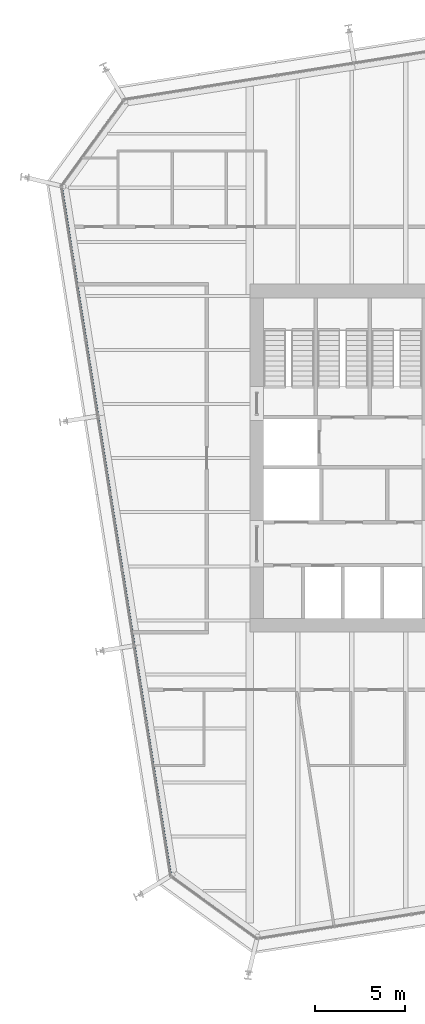
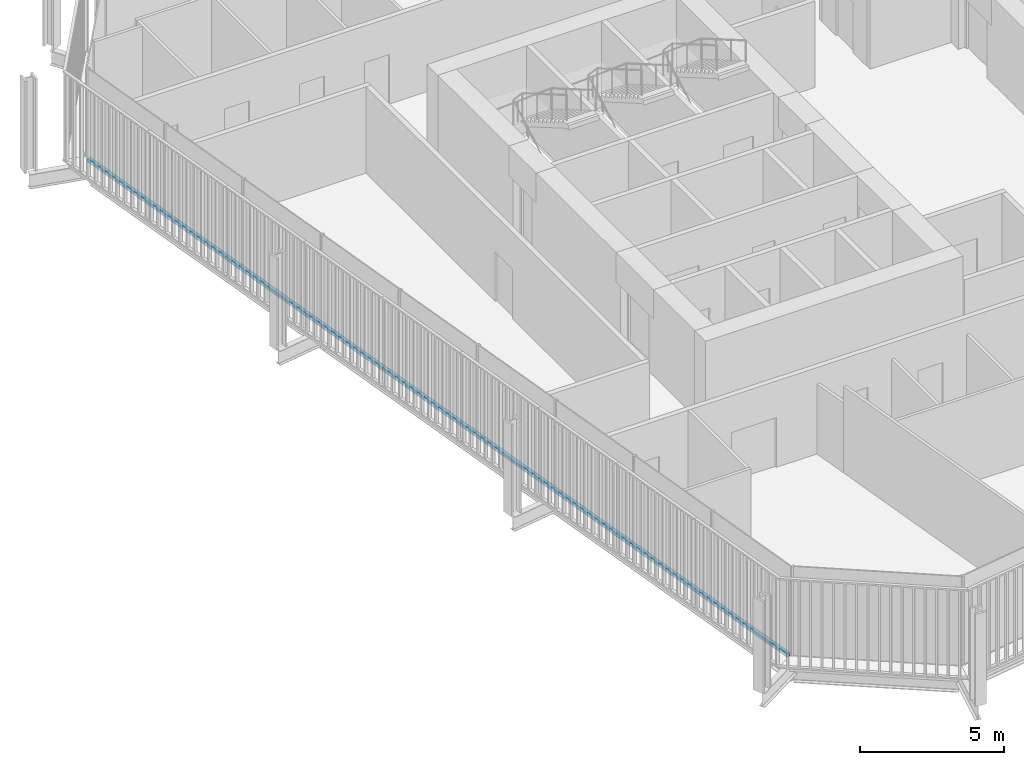
# One storey, part 5 of 21: 1 member, 1 element without a shape of its own.
"""IFC4 building model written with IfcOpenShell, lengths in metres."""

from ifc_helpers import new_model, si_unit, direction, frame, origin, origin_2d, place, context, subcontext, project, spatial, rectangle, extrude, material, layer, layer_set, material_profile, profile_set, type_object, element, aggregate, save


model = new_model("IFC4")

# Units and contexts
model_context = context("Model", 3, precision=1e-05, world=origin(), true_north=direction((0.0, 1.0)))
body_context = subcontext(model_context, "Body", "Model", "MODEL_VIEW")
ifc_project = project(units=[si_unit("LENGTHUNIT", "METRE"), si_unit("AREAUNIT", "SQUARE_METRE"), si_unit("VOLUMEUNIT", "CUBIC_METRE"), si_unit("PLANEANGLEUNIT", "RADIAN"), si_unit("MASSUNIT", "GRAM", prefix="KILO")], contexts=[model_context])

# Site, building, storey
site_placement = place(None, origin())
site = spatial("IfcSite", under=ifc_project, at=site_placement, CompositionType="ELEMENT")
building_placement = place(site_placement, origin())
building = spatial("IfcBuilding", under=site, at=building_placement, Name="Millrace Tower", CompositionType="ELEMENT")
storey_placement = place(building_placement, frame((0.0, 0.0, 191.699951171875)))
storey = spatial("IfcBuildingStorey", under=building, at=storey_placement, Name="L43", CompositionType="ELEMENT", Elevation=191.699951171875)

# Curtain wall, member
ifc_material_1 = material(Name="Aluminium and glass", Category="aluminium")
ifc_layer = layer(ifc_material_1, 0.14990234375)
ifc_layer_set = layer_set([ifc_layer], Name="Aluminium and glass")
curtain_wall_type = type_object("IfcCurtainWallType", Name="CW-1 office vision curtain wall", PredefinedType="NOTDEFINED", material=ifc_layer_set)
curtain_wall_placement = place(storey_placement, origin())
curtain_wall = element("IfcCurtainWall", 1, at=curtain_wall_placement, inside=storey, type_object=curtain_wall_type, Name="Curtain wall C-F08 L43", PredefinedType="NOTDEFINED")
ifc_material_2 = material(Name="Aluminium", Category="aluminium")
ifc_material_profile = material_profile(ifc_material_2, rectangle(XDim=0.14990234375, YDim=0.139892578125, at=origin_2d()))
ifc_profile_set = profile_set([ifc_material_profile], Name="Aluminium")
member_type = type_object("IfcMemberType", Name="CW-1 office vision curtain wall transom", PredefinedType="USERDEFINED", material=ifc_profile_set)
member_placement = place(storey_placement, frame((-25.09619140625, 14.97509765625, 0.070068359375), z_axis=(0.156433422663, -0.987688505691, 0.0), x_axis=(0.987688505691, 0.156433422663, 0.0)))
member = element("IfcMember", 2, at=member_placement, type_object=member_type, Name="CW1 transom C-F08.1", ObjectType="TRANSOM", PredefinedType="USERDEFINED", context=body_context, shape_type="SweptSolid", body=[
    extrude(rectangle(XDim=0.14990234375, YDim=0.139892578125, at=origin_2d()), origin(), (0.0, 0.0, 1.0), 38.5),
])
aggregate(curtain_wall, [member])

save(model, "model.ifc")
